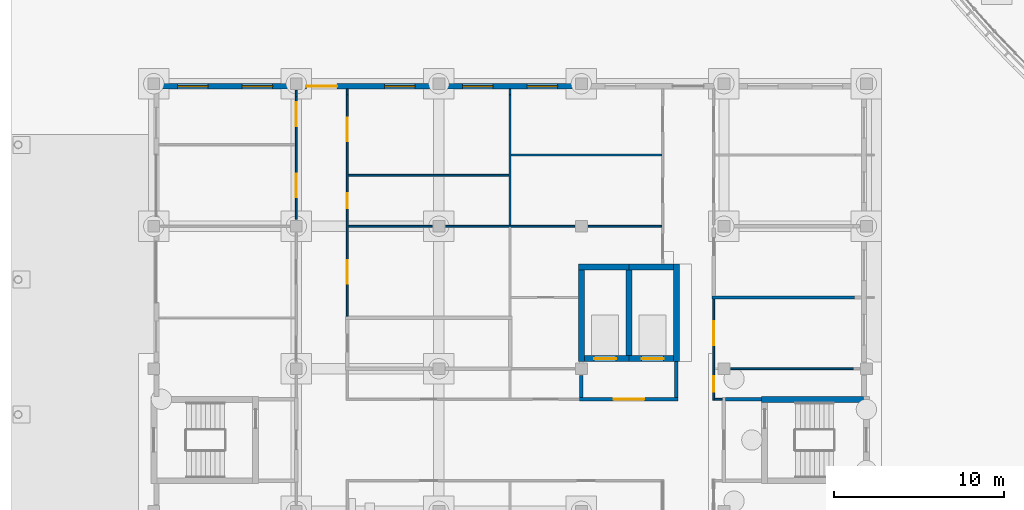
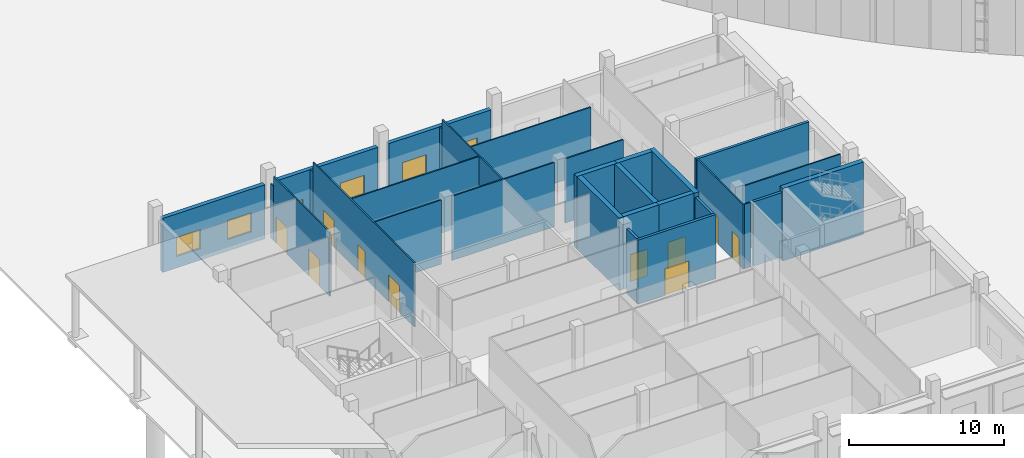
# One storey, part 57 of 146: 30 walls, 11 doors, 5 windows, 16 openings.
"""IFC4 building model written with IfcOpenShell, lengths in metres."""

from ifc_helpers import new_model, si_unit, direction, frame, frame_2d, origin, place, context, subcontext, project, spatial, rectangle, extrude, material, layer, layer_set, type_object, element, fill, save


model = new_model("IFC4")

# Units and contexts
model_context = context("Model", 3, precision=1e-05, world=origin(), true_north=direction((0.0, 1.0)))
body_context = subcontext(model_context, "Body", "Model", "MODEL_VIEW")
ifc_project = project(units=[si_unit("LENGTHUNIT", "METRE"), si_unit("AREAUNIT", "SQUARE_METRE"), si_unit("VOLUMEUNIT", "CUBIC_METRE"), si_unit("PLANEANGLEUNIT", "RADIAN"), si_unit("MASSUNIT", "GRAM", prefix="KILO")], contexts=[model_context])

# Site, building, storey
site_placement = place(None, origin())
site = spatial("IfcSite", under=ifc_project, at=site_placement, CompositionType="ELEMENT")
building_placement = place(site_placement, origin())
building = spatial("IfcBuilding", under=site, at=building_placement, Name="Bougainvillea Quay General Hospital", CompositionType="ELEMENT")
storey_placement = place(building_placement, origin())
storey = spatial("IfcBuildingStorey", under=building, at=storey_placement, Name="L00", CompositionType="ELEMENT", Elevation=0.0)

# Wall, openings, windows
ifc_material_1 = material(Name="Pale stone rainscreen cladding on insulated masonry backing, pale stone", Category="masonry")
ifc_layer_1 = layer(ifc_material_1, 0.300048828125)
ifc_layer_set_1 = layer_set([ifc_layer_1], Name="Pale stone rainscreen cladding on insulated masonry backing, pale stone")
wall_type_1 = type_object("IfcWallType", Name="External wall pale stone rainscreen 300", PredefinedType="STANDARD", material=ifc_layer_set_1)
wall_1_placement = place(storey_placement, frame((33.199951171875, 75.449951171875, 0.0), z_axis=(0.0, 0.0, 1.0), x_axis=(-1.0, 0.0, 0.0)))
wall_1 = element("IfcWall", 1, at=wall_1_placement, inside=storey, type_object=wall_type_1, Name="External wall wall/V2/L00/p0/01c", PredefinedType="STANDARD", context=body_context, shape_type="SweptSolid", body=[
    extrude(rectangle(XDim=7.599853515625, YDim=0.300048828125, at=frame_2d((3.7998046875, 0.0))), origin(), (0.0, 0.0, 1.0), 4.25),
])
opening_1_placement = place(wall_1_placement, frame((1.0, 0.0, 0.89990234375)))
opening_1 = element("IfcOpeningElement", 2, at=opening_1_placement, cuts=wall_1, Name="Opening W1", PredefinedType="OPENING", context=body_context, shape_type="SweptSolid", body=[
    extrude(rectangle(XDim=1.800048828125, YDim=1.5, at=frame_2d((0.89990234375, 0.75))), frame((0.0, 0.159912109375, 0.0), z_axis=(0.0, -1.0, 0.0), x_axis=(1.0, 0.0, 0.0)), (0.0, 0.0, 1.0), 0.320068359375),
])
opening_2_placement = place(wall_1_placement, frame((4.800048828125, 0.0, 0.89990234375)))
opening_2 = element("IfcOpeningElement", 3, at=opening_2_placement, cuts=wall_1, Name="Opening W1", PredefinedType="OPENING", context=body_context, shape_type="SweptSolid", body=[
    extrude(rectangle(XDim=1.800048828125, YDim=1.5, at=frame_2d((0.89990234375, 0.75))), frame((0.0, 0.159912109375, 0.0), z_axis=(0.0, -1.0, 0.0), x_axis=(1.0, 0.0, 0.0)), (0.0, 0.0, 1.0), 0.320068359375),
])
ifc_material_2 = material(Name="Aluminium window frame with low-e double glazed unit", Category="aluminium")
window_type = type_object("IfcWindowType", Name="Window W1 1800x1500", PartitioningType="DOUBLE_PANEL_VERTICAL", PredefinedType="WINDOW", material=ifc_material_2)
window_1_placement = place(opening_1_placement, origin())
window_1 = element("IfcWindow", 4, at=window_1_placement, inside=storey, type_object=window_type, Name="Window W1 1", OverallHeight=1.5, OverallWidth=1.800048828125, PartitioningType="SINGLE_PANEL", PredefinedType="WINDOW", context=body_context, shape_type="SweptSolid", body=[
    extrude(rectangle(XDim=1.800048828125, YDim=1.5, at=frame_2d((0.89990234375, 0.75))), frame((0.0, 0.030029296875, 0.0), z_axis=(0.0, -1.0, 0.0), x_axis=(1.0, 0.0, 0.0)), (0.0, 0.0, 1.0), 0.06005859375),
])
fill(opening_1, window_1)
window_2_placement = place(opening_2_placement, origin())
window_2 = element("IfcWindow", 5, at=window_2_placement, inside=storey, type_object=window_type, Name="Window W1 2", OverallHeight=1.5, OverallWidth=1.800048828125, PartitioningType="SINGLE_PANEL", PredefinedType="WINDOW", context=body_context, shape_type="SweptSolid", body=[
    extrude(rectangle(XDim=1.800048828125, YDim=1.5, at=frame_2d((0.89990234375, 0.75))), frame((0.0, 0.030029296875, 0.0), z_axis=(0.0, -1.0, 0.0), x_axis=(1.0, 0.0, 0.0)), (0.0, 0.0, 1.0), 0.06005859375),
])
fill(opening_2, window_2)

# Wall, openings, door, window
wall_2_placement = place(storey_placement, frame((24.800048828125, 75.449951171875, 0.0), z_axis=(0.0, 0.0, 1.0), x_axis=(-1.0, 0.0, 0.0)))
wall_2 = element("IfcWall", 6, at=wall_2_placement, inside=storey, type_object=wall_type_1, Name="External wall wall/V2/L00/p0/01d", PredefinedType="STANDARD", context=body_context, shape_type="SweptSolid", body=[
    extrude(rectangle(XDim=7.60009765625, YDim=0.300048828125, at=frame_2d((3.800048828125, 0.0))), origin(), (0.0, 0.0, 1.0), 4.25),
])
opening_3_placement = place(wall_2_placement, frame((5.60009765625, 0.0, 0.0)))
opening_3 = element("IfcOpeningElement", 7, at=opening_3_placement, cuts=wall_2, Name="Opening L00.320", PredefinedType="OPENING", context=body_context, shape_type="SweptSolid", body=[
    extrude(rectangle(XDim=1.800048828125, YDim=2.10009765625, at=frame_2d((0.89990234375, 1.050048828125))), frame((0.0, 0.159912109375, 0.0), z_axis=(0.0, -1.0, 0.0), x_axis=(1.0, 0.0, 0.0)), (0.0, 0.0, 1.0), 0.320068359375),
])
opening_4_placement = place(wall_2_placement, frame((1.0, 0.0, 0.89990234375)))
opening_4 = element("IfcOpeningElement", 8, at=opening_4_placement, cuts=wall_2, Name="Opening W1", PredefinedType="OPENING", context=body_context, shape_type="SweptSolid", body=[
    extrude(rectangle(XDim=1.800048828125, YDim=1.5, at=frame_2d((0.89990234375, 0.75))), frame((0.0, 0.159912109375, 0.0), z_axis=(0.0, -1.0, 0.0), x_axis=(1.0, 0.0, 0.0)), (0.0, 0.0, 1.0), 0.320068359375),
])
ifc_material_3 = material(Name="Steel door set, painted, with vision panels", Category="steel")
door_type_1 = type_object("IfcDoorType", Name="Escape door 1800x2100", OperationType="DOUBLE_DOOR_SINGLE_SWING", PredefinedType="DOOR", material=ifc_material_3)
door_1_placement = place(opening_3_placement, frame((1.800048828125, 0.0, 0.0), z_axis=(0.0, 0.0, 1.0), x_axis=(-1.0, 0.0, 0.0)))
door_1 = element("IfcDoor", 9, at=door_1_placement, inside=storey, type_object=door_type_1, Name="Escape door 8", OperationType="SINGLE_SWING_LEFT", OverallHeight=2.10009765625, OverallWidth=1.800048828125, PredefinedType="DOOR", context=body_context, shape_type="SweptSolid", body=[
    extrude(rectangle(XDim=1.800048828125, YDim=2.10009765625, at=frame_2d((0.89990234375, 1.050048828125))), frame((0.0, 0.02490234375, 0.0), z_axis=(0.0, -1.0, 0.0), x_axis=(1.0, 0.0, 0.0)), (0.0, 0.0, 1.0), 0.050048828125),
])
fill(opening_3, door_1)
window_3_placement = place(opening_4_placement, origin())
window_3 = element("IfcWindow", 10, at=window_3_placement, inside=storey, type_object=window_type, Name="Window W1 1", OverallHeight=1.5, OverallWidth=1.800048828125, PartitioningType="SINGLE_PANEL", PredefinedType="WINDOW", context=body_context, shape_type="SweptSolid", body=[
    extrude(rectangle(XDim=1.800048828125, YDim=1.5, at=frame_2d((0.89990234375, 0.75))), frame((0.0, 0.030029296875, 0.0), z_axis=(0.0, -1.0, 0.0), x_axis=(1.0, 0.0, 0.0)), (0.0, 0.0, 1.0), 0.06005859375),
])
fill(opening_4, window_3)

# Wall, openings, windows
wall_3_placement = place(storey_placement, frame((16.39990234375, 75.449951171875, 0.0), z_axis=(0.0, 0.0, 1.0), x_axis=(-1.0, 0.0, 0.0)))
wall_3 = element("IfcWall", 11, at=wall_3_placement, inside=storey, type_object=wall_type_1, Name="External wall wall/V2/L00/p0/01e", PredefinedType="STANDARD", context=body_context, shape_type="SweptSolid", body=[
    extrude(rectangle(XDim=7.599853515625, YDim=0.300048828125, at=frame_2d((3.7998046875, 0.0))), origin(), (0.0, 0.0, 1.0), 4.25),
])
opening_5_placement = place(wall_3_placement, frame((1.0, 0.0, 0.89990234375)))
opening_5 = element("IfcOpeningElement", 12, at=opening_5_placement, cuts=wall_3, Name="Opening W1", PredefinedType="OPENING", context=body_context, shape_type="SweptSolid", body=[
    extrude(rectangle(XDim=1.800048828125, YDim=1.5, at=frame_2d((0.89990234375, 0.75))), frame((0.0, 0.159912109375, 0.0), z_axis=(0.0, -1.0, 0.0), x_axis=(1.0, 0.0, 0.0)), (0.0, 0.0, 1.0), 0.320068359375),
])
opening_6_placement = place(wall_3_placement, frame((4.800048828125, 0.0, 0.89990234375)))
opening_6 = element("IfcOpeningElement", 13, at=opening_6_placement, cuts=wall_3, Name="Opening W1", PredefinedType="OPENING", context=body_context, shape_type="SweptSolid", body=[
    extrude(rectangle(XDim=1.800048828125, YDim=1.5, at=frame_2d((0.89990234375, 0.75))), frame((0.0, 0.159912109375, 0.0), z_axis=(0.0, -1.0, 0.0), x_axis=(1.0, 0.0, 0.0)), (0.0, 0.0, 1.0), 0.320068359375),
])
window_4_placement = place(opening_5_placement, origin())
window_4 = element("IfcWindow", 14, at=window_4_placement, inside=storey, type_object=window_type, Name="Window W1 1", OverallHeight=1.5, OverallWidth=1.800048828125, PartitioningType="SINGLE_PANEL", PredefinedType="WINDOW", context=body_context, shape_type="SweptSolid", body=[
    extrude(rectangle(XDim=1.800048828125, YDim=1.5, at=frame_2d((0.89990234375, 0.75))), frame((0.0, 0.030029296875, 0.0), z_axis=(0.0, -1.0, 0.0), x_axis=(1.0, 0.0, 0.0)), (0.0, 0.0, 1.0), 0.06005859375),
])
fill(opening_5, window_4)
window_5_placement = place(opening_6_placement, origin())
window_5 = element("IfcWindow", 15, at=window_5_placement, inside=storey, type_object=window_type, Name="Window W1 2", OverallHeight=1.5, OverallWidth=1.800048828125, PartitioningType="SINGLE_PANEL", PredefinedType="WINDOW", context=body_context, shape_type="SweptSolid", body=[
    extrude(rectangle(XDim=1.800048828125, YDim=1.5, at=frame_2d((0.89990234375, 0.75))), frame((0.0, 0.030029296875, 0.0), z_axis=(0.0, -1.0, 0.0), x_axis=(1.0, 0.0, 0.0)), (0.0, 0.0, 1.0), 0.06005859375),
])
fill(opening_6, window_5)

# Wall
ifc_material_4 = material(Name="Gypsum board partition on steel studs", Category="steel")
ifc_layer_2 = layer(ifc_material_4, 0.10009765625)
ifc_layer_set_2 = layer_set([ifc_layer_2], Name="Gypsum board partition on steel studs")
wall_type_2 = type_object("IfcWallType", Name="Partition 100 Gypsum board partition", PredefinedType="PARTITIONING", material=ifc_layer_set_2)
wall_4_placement = place(storey_placement, frame((19.800048828125, 75.300048828125, 0.0), z_axis=(0.0, 0.0, 1.0), x_axis=(0.0, -1.0, 0.0)))
element("IfcWall", 16, at=wall_4_placement, inside=storey, type_object=wall_type_2, Name="Partition 100 mm", PredefinedType="PARTITIONING", context=body_context, shape_type="SweptSolid", body=[
    extrude(rectangle(XDim=0.35009765625, YDim=0.10009765625, at=frame_2d((0.175048828125, 0.0))), origin(), (0.0, 0.0, 1.0), 4.280029296875),
])

# Wall, openings, doors
wall_5_placement = place(storey_placement, frame((19.800048828125, 74.949951171875, 0.0), z_axis=(0.0, 0.0, 1.0), x_axis=(0.0, -1.0, 0.0)))
wall_5 = element("IfcWall", 17, at=wall_5_placement, inside=storey, type_object=wall_type_2, Name="Partition 100 mm", PredefinedType="PARTITIONING", context=body_context, shape_type="SweptSolid", body=[
    extrude(rectangle(XDim=13.050048828125, YDim=0.10009765625, at=frame_2d((6.52490234375, 0.0))), origin(), (0.0, 0.0, 1.0), 5.050048828125),
])
opening_7_placement = place(wall_5_placement, frame((9.75, 0.0, 0.0)))
opening_7 = element("IfcOpeningElement", 18, at=opening_7_placement, cuts=wall_5, Name="Opening L00.084", PredefinedType="OPENING", context=body_context, shape_type="SweptSolid", body=[
    extrude(rectangle(XDim=1.39990234375, YDim=2.10009765625, at=frame_2d((0.699951171875, 1.050048828125))), frame((0.0, 0.06005859375, 0.0), z_axis=(0.0, -1.0, 0.0), x_axis=(1.0, 0.0, 0.0)), (0.0, 0.0, 1.0), 0.1201171875),
])
opening_8_placement = place(wall_5_placement, frame((5.800048828125, 0.0, 0.0)))
opening_8 = element("IfcOpeningElement", 19, at=opening_8_placement, cuts=wall_5, Name="Opening L00.085", PredefinedType="OPENING", context=body_context, shape_type="SweptSolid", body=[
    extrude(rectangle(XDim=0.89990234375, YDim=2.10009765625, at=frame_2d((0.449951171875, 1.050048828125))), frame((0.0, 0.06005859375, 0.0), z_axis=(0.0, -1.0, 0.0), x_axis=(1.0, 0.0, 0.0)), (0.0, 0.0, 1.0), 0.1201171875),
])
opening_9_placement = place(wall_5_placement, frame((1.35009765625, 0.0, 0.0)))
opening_9 = element("IfcOpeningElement", 20, at=opening_9_placement, cuts=wall_5, Name="Opening L00.086", PredefinedType="OPENING", context=body_context, shape_type="SweptSolid", body=[
    extrude(rectangle(XDim=1.39990234375, YDim=2.10009765625, at=frame_2d((0.699951171875, 1.050048828125))), frame((0.0, 0.06005859375, 0.0), z_axis=(0.0, -1.0, 0.0), x_axis=(1.0, 0.0, 0.0)), (0.0, 0.0, 1.0), 0.1201171875),
])
ifc_material_5 = material(Name="Solid-core timber door leaves in steel frame", Category="steel")
door_type_2 = type_object("IfcDoorType", Name="Bed door pair 1400x2100", OperationType="DOUBLE_DOOR_SINGLE_SWING", PredefinedType="DOOR", material=ifc_material_5)
door_2_placement = place(opening_7_placement, origin())
door_2 = element("IfcDoor", 21, at=door_2_placement, inside=storey, type_object=door_type_2, Name="DT09 L00.084", OperationType="DOUBLE_DOOR_SINGLE_SWING", OverallHeight=2.10009765625, OverallWidth=1.39990234375, PredefinedType="DOOR", context=body_context, shape_type="SweptSolid", body=[
    extrude(rectangle(XDim=1.39990234375, YDim=2.10009765625, at=frame_2d((0.699951171875, 1.050048828125))), frame((0.0, 0.02490234375, 0.0), z_axis=(0.0, -1.0, 0.0), x_axis=(1.0, 0.0, 0.0)), (0.0, 0.0, 1.0), 0.050048828125),
])
fill(opening_7, door_2)
door_3_placement = place(opening_9_placement, origin())
door_3 = element("IfcDoor", 22, at=door_3_placement, inside=storey, type_object=door_type_2, Name="DT09 L00.086", OperationType="DOUBLE_DOOR_SINGLE_SWING", OverallHeight=2.10009765625, OverallWidth=1.39990234375, PredefinedType="DOOR", context=body_context, shape_type="SweptSolid", body=[
    extrude(rectangle(XDim=1.39990234375, YDim=2.10009765625, at=frame_2d((0.699951171875, 1.050048828125))), frame((0.0, 0.02490234375, 0.0), z_axis=(0.0, -1.0, 0.0), x_axis=(1.0, 0.0, 0.0)), (0.0, 0.0, 1.0), 0.050048828125),
])
fill(opening_9, door_3)
ifc_material_6 = material(Name="Solid-core timber door leaf in steel frame", Category="steel")
door_type_3 = type_object("IfcDoorType", Name="Single leaf door 900x2100", OperationType="NOTDEFINED", PredefinedType="DOOR", material=ifc_material_6)
door_4_placement = place(opening_8_placement, origin())
door_4 = element("IfcDoor", 23, at=door_4_placement, inside=storey, type_object=door_type_3, Name="DT07 L00.085", OperationType="SINGLE_SWING_LEFT", OverallHeight=2.10009765625, OverallWidth=0.89990234375, PredefinedType="DOOR", context=body_context, shape_type="SweptSolid", body=[
    extrude(rectangle(XDim=0.89990234375, YDim=2.10009765625, at=frame_2d((0.449951171875, 1.050048828125))), frame((0.0, 0.02490234375, 0.0), z_axis=(0.0, -1.0, 0.0), x_axis=(1.0, 0.0, 0.0)), (0.0, 0.0, 1.0), 0.050048828125),
])
fill(opening_8, door_4)

# Walls
wall_6_placement = place(storey_placement, frame((19.85009765625, 67.199951171875, 0.0), z_axis=(0.0, 0.0, 1.0), x_axis=(1.0, 0.0, 0.0)))
element("IfcWall", 24, at=wall_6_placement, inside=storey, type_object=wall_type_2, Name="Partition 100 mm", PredefinedType="PARTITIONING", context=body_context, shape_type="SweptSolid", body=[
    extrude(rectangle(XDim=4.949951171875, YDim=0.10009765625, at=frame_2d((2.47509765625, 0.0))), origin(), (0.0, 0.0, 1.0), 5.050048828125),
])
wall_7_placement = place(storey_placement, frame((25.60009765625, 67.199951171875, 0.0), z_axis=(0.0, 0.0, 1.0), x_axis=(1.0, 0.0, 0.0)))
element("IfcWall", 25, at=wall_7_placement, inside=storey, type_object=wall_type_2, Name="Partition 100 mm", PredefinedType="PARTITIONING", context=body_context, shape_type="SweptSolid", body=[
    extrude(rectangle(XDim=7.599853515625, YDim=0.10009765625, at=frame_2d((3.7998046875, 0.0))), origin(), (0.0, 0.0, 1.0), 5.050048828125),
])
wall_8_placement = place(storey_placement, frame((34.0, 67.199951171875, 0.0), z_axis=(0.0, 0.0, 1.0), x_axis=(1.0, 0.0, 0.0)))
element("IfcWall", 26, at=wall_8_placement, inside=storey, type_object=wall_type_2, Name="Partition 100 mm", PredefinedType="PARTITIONING", context=body_context, shape_type="SweptSolid", body=[
    extrude(rectangle(XDim=4.35009765625, YDim=0.10009765625, at=frame_2d((2.175048828125, 0.0))), origin(), (0.0, 0.0, 1.0), 5.050048828125),
])
wall_9_placement = place(storey_placement, frame((16.800048828125, 75.199951171875, 0.0), z_axis=(0.0, 0.0, 1.0), x_axis=(0.0, -1.0, 0.0)))
element("IfcWall", 27, at=wall_9_placement, inside=storey, type_object=wall_type_2, Name="Partition 100 mm", PredefinedType="PARTITIONING", context=body_context, shape_type="SweptSolid", body=[
    extrude(rectangle(XDim=0.349853515625, YDim=0.10009765625, at=frame_2d((0.1748046875, 0.0))), origin(), (0.0, 0.0, 1.0), 4.280029296875),
])

# Wall, openings, doors
wall_10_placement = place(storey_placement, frame((16.800048828125, 74.85009765625, 0.0), z_axis=(0.0, 0.0, 1.0), x_axis=(0.0, -1.0, 0.0)))
wall_10 = element("IfcWall", 28, at=wall_10_placement, inside=storey, type_object=wall_type_2, Name="Partition 100 mm", PredefinedType="PARTITIONING", context=body_context, shape_type="SweptSolid", body=[
    extrude(rectangle(XDim=7.25, YDim=0.10009765625, at=frame_2d((3.625, 0.0))), origin(), (0.0, 0.0, 1.0), 5.050048828125),
])
opening_10_placement = place(wall_10_placement, frame((4.550048828125, 0.0, 0.0)))
opening_10 = element("IfcOpeningElement", 29, at=opening_10_placement, cuts=wall_10, Name="Opening L00.080", PredefinedType="OPENING", context=body_context, shape_type="SweptSolid", body=[
    extrude(rectangle(XDim=1.39990234375, YDim=2.10009765625, at=frame_2d((0.699951171875, 1.050048828125))), frame((0.0, 0.06005859375, 0.0), z_axis=(0.0, -1.0, 0.0), x_axis=(1.0, 0.0, 0.0)), (0.0, 0.0, 1.0), 0.1201171875),
])
opening_11_placement = place(wall_10_placement, frame((0.35009765625, 0.0, 0.0)))
opening_11 = element("IfcOpeningElement", 30, at=opening_11_placement, cuts=wall_10, Name="Opening L00.081", PredefinedType="OPENING", context=body_context, shape_type="SweptSolid", body=[
    extrude(rectangle(XDim=1.39990234375, YDim=2.10009765625, at=frame_2d((0.699951171875, 1.050048828125))), frame((0.0, 0.06005859375, 0.0), z_axis=(0.0, -1.0, 0.0), x_axis=(1.0, 0.0, 0.0)), (0.0, 0.0, 1.0), 0.1201171875),
])
door_5_placement = place(opening_10_placement, frame((1.39990234375, 0.0, 0.0), z_axis=(0.0, 0.0, 1.0), x_axis=(-1.0, 0.0, 0.0)))
door_5 = element("IfcDoor", 31, at=door_5_placement, inside=storey, type_object=door_type_2, Name="DT09 L00.080", OperationType="DOUBLE_DOOR_SINGLE_SWING", OverallHeight=2.10009765625, OverallWidth=1.39990234375, PredefinedType="DOOR", context=body_context, shape_type="SweptSolid", body=[
    extrude(rectangle(XDim=1.39990234375, YDim=2.10009765625, at=frame_2d((0.699951171875, 1.050048828125))), frame((0.0, 0.02490234375, 0.0), z_axis=(0.0, -1.0, 0.0), x_axis=(1.0, 0.0, 0.0)), (0.0, 0.0, 1.0), 0.050048828125),
])
fill(opening_10, door_5)
door_6_placement = place(opening_11_placement, frame((1.39990234375, 0.0, 0.0), z_axis=(0.0, 0.0, 1.0), x_axis=(-1.0, 0.0, 0.0)))
door_6 = element("IfcDoor", 32, at=door_6_placement, inside=storey, type_object=door_type_2, Name="DT09 L00.081", OperationType="DOUBLE_DOOR_SINGLE_SWING", OverallHeight=2.10009765625, OverallWidth=1.39990234375, PredefinedType="DOOR", context=body_context, shape_type="SweptSolid", body=[
    extrude(rectangle(XDim=1.39990234375, YDim=2.10009765625, at=frame_2d((0.699951171875, 1.050048828125))), frame((0.0, 0.02490234375, 0.0), z_axis=(0.0, -1.0, 0.0), x_axis=(1.0, 0.0, 0.0)), (0.0, 0.0, 1.0), 0.050048828125),
])
fill(opening_11, door_6)

# Walls
wall_11_placement = place(storey_placement, frame((29.39990234375, 75.300048828125, 0.0), z_axis=(0.0, 0.0, 1.0), x_axis=(0.0, -1.0, 0.0)))
element("IfcWall", 33, at=wall_11_placement, inside=storey, type_object=wall_type_2, Name="Partition 100 mm", PredefinedType="PARTITIONING", context=body_context, shape_type="SweptSolid", body=[
    extrude(rectangle(XDim=0.35009765625, YDim=0.10009765625, at=frame_2d((0.175048828125, 0.0))), origin(), (0.0, 0.0, 1.0), 4.280029296875),
])
wall_12_placement = place(storey_placement, frame((29.39990234375, 74.949951171875, 0.0), z_axis=(0.0, 0.0, 1.0), x_axis=(0.0, -1.0, 0.0)))
element("IfcWall", 34, at=wall_12_placement, inside=storey, type_object=wall_type_2, Name="Partition 100 mm", PredefinedType="PARTITIONING", context=body_context, shape_type="SweptSolid", body=[
    extrude(rectangle(XDim=7.699951171875, YDim=0.10009765625, at=frame_2d((3.85009765625, 0.0))), origin(), (0.0, 0.0, 1.0), 5.050048828125),
])
wall_13_placement = place(storey_placement, frame((19.85009765625, 70.199951171875, 0.0), z_axis=(0.0, 0.0, 1.0), x_axis=(1.0, 0.0, 0.0)))
element("IfcWall", 35, at=wall_13_placement, inside=storey, type_object=wall_type_2, Name="Partition 100 mm", PredefinedType="PARTITIONING", context=body_context, shape_type="SweptSolid", body=[
    extrude(rectangle(XDim=9.5, YDim=0.10009765625, at=frame_2d((4.75, 0.0))), origin(), (0.0, 0.0, 1.0), 5.050048828125),
])
wall_14_placement = place(storey_placement, frame((29.449951171875, 71.39990234375, 0.0), z_axis=(0.0, 0.0, 1.0), x_axis=(1.0, 0.0, 0.0)))
element("IfcWall", 36, at=wall_14_placement, inside=storey, type_object=wall_type_2, Name="Partition 100 mm", PredefinedType="PARTITIONING", context=body_context, shape_type="SweptSolid", body=[
    extrude(rectangle(XDim=8.900146484375, YDim=0.10009765625, at=frame_2d((4.4501953125, 0.0))), origin(), (0.0, 0.0, 1.0), 5.050048828125),
])

# Wall, openings, doors
wall_15_placement = place(storey_placement, frame((41.39990234375, 56.949951171875, 0.0), z_axis=(0.0, 0.0, 1.0), x_axis=(0.0, 1.0, 0.0)))
wall_15 = element("IfcWall", 37, at=wall_15_placement, inside=storey, type_object=wall_type_2, Name="Partition 100 mm", PredefinedType="PARTITIONING", context=body_context, shape_type="SweptSolid", body=[
    extrude(rectangle(XDim=5.949951171875, YDim=0.10009765625, at=frame_2d((2.97509765625, 0.0))), origin(), (0.0, 0.0, 1.0), 5.050048828125),
])
opening_12_placement = place(wall_15_placement, frame((0.5, 0.0, 0.0)))
opening_12 = element("IfcOpeningElement", 38, at=opening_12_placement, cuts=wall_15, Name="Opening L00.091", PredefinedType="OPENING", context=body_context, shape_type="SweptSolid", body=[
    extrude(rectangle(XDim=0.89990234375, YDim=2.10009765625, at=frame_2d((0.449951171875, 1.050048828125))), frame((0.0, 0.06005859375, 0.0), z_axis=(0.0, -1.0, 0.0), x_axis=(1.0, 0.0, 0.0)), (0.0, 0.0, 1.0), 0.1201171875),
])
opening_13_placement = place(wall_15_placement, frame((3.25, 0.0, 0.0)))
opening_13 = element("IfcOpeningElement", 39, at=opening_13_placement, cuts=wall_15, Name="Opening L00.092", PredefinedType="OPENING", context=body_context, shape_type="SweptSolid", body=[
    extrude(rectangle(XDim=1.39990234375, YDim=2.10009765625, at=frame_2d((0.699951171875, 1.050048828125))), frame((0.0, 0.06005859375, 0.0), z_axis=(0.0, -1.0, 0.0), x_axis=(1.0, 0.0, 0.0)), (0.0, 0.0, 1.0), 0.1201171875),
])
door_7_placement = place(opening_13_placement, frame((1.39990234375, 0.0, 0.0), z_axis=(0.0, 0.0, 1.0), x_axis=(-1.0, 0.0, 0.0)))
door_7 = element("IfcDoor", 40, at=door_7_placement, inside=storey, type_object=door_type_2, Name="DT09 L00.092", OperationType="DOUBLE_DOOR_SINGLE_SWING", OverallHeight=2.10009765625, OverallWidth=1.39990234375, PredefinedType="DOOR", context=body_context, shape_type="SweptSolid", body=[
    extrude(rectangle(XDim=1.39990234375, YDim=2.10009765625, at=frame_2d((0.699951171875, 1.050048828125))), frame((0.0, 0.02490234375, 0.0), z_axis=(0.0, -1.0, 0.0), x_axis=(1.0, 0.0, 0.0)), (0.0, 0.0, 1.0), 0.050048828125),
])
fill(opening_13, door_7)
door_8_placement = place(opening_12_placement, frame((0.89990234375, 0.0, 0.0), z_axis=(0.0, 0.0, 1.0), x_axis=(-1.0, 0.0, 0.0)))
door_8 = element("IfcDoor", 41, at=door_8_placement, inside=storey, type_object=door_type_3, Name="DT07 L00.091", OperationType="SINGLE_SWING_RIGHT", OverallHeight=2.10009765625, OverallWidth=0.89990234375, PredefinedType="DOOR", context=body_context, shape_type="SweptSolid", body=[
    extrude(rectangle(XDim=0.89990234375, YDim=2.10009765625, at=frame_2d((0.449951171875, 1.050048828125))), frame((0.0, 0.02490234375, 0.0), z_axis=(0.0, -1.0, 0.0), x_axis=(1.0, 0.0, 0.0)), (0.0, 0.0, 1.0), 0.050048828125),
])
fill(opening_12, door_8)

# Walls
wall_16_placement = place(storey_placement, frame((42.39990234375, 58.800048828125, 0.0), z_axis=(0.0, 0.0, 1.0), x_axis=(1.0, 0.0, 0.0)))
element("IfcWall", 42, at=wall_16_placement, inside=storey, type_object=wall_type_2, Name="Partition 100 mm", PredefinedType="PARTITIONING", context=body_context, shape_type="SweptSolid", body=[
    extrude(rectangle(XDim=7.25, YDim=0.10009765625, at=frame_2d((3.625, 0.0))), origin(), (0.0, 0.0, 1.0), 5.050048828125),
])
wall_17_placement = place(storey_placement, frame((41.449951171875, 57.0, 0.0), z_axis=(0.0, 0.0, 1.0), x_axis=(1.0, 0.0, 0.0)))
element("IfcWall", 43, at=wall_17_placement, inside=storey, type_object=wall_type_2, Name="Partition 100 mm", PredefinedType="PARTITIONING", context=body_context, shape_type="SweptSolid", body=[
    extrude(rectangle(XDim=0.449951171875, YDim=0.10009765625, at=frame_2d((0.22509765625, 0.0))), origin(), (0.0, 0.0, 1.0), 5.050048828125),
])

# Wall, opening, door
ifc_material_7 = material(Name="Fire-rated autoclaved aerated block wall, plastered")
ifc_layer_3 = layer(ifc_material_7, 0.199951171875)
ifc_layer_set_3 = layer_set([ifc_layer_3], Name="Fire-rated autoclaved aerated block wall, plastered")
wall_type_3 = type_object("IfcWallType", Name="Partition 200 Fire-rated autoclaved aerated block wall EI 120", PredefinedType="SOLIDWALL", material=ifc_layer_set_3)
wall_18_placement = place(storey_placement, frame((33.5, 57.0, 0.0), z_axis=(0.0, 0.0, 1.0), x_axis=(1.0, 0.0, 0.0)))
wall_18 = element("IfcWall", 44, at=wall_18_placement, inside=storey, type_object=wall_type_3, Name="Partition 200 mm EI 120", PredefinedType="SOLIDWALL", context=body_context, shape_type="SweptSolid", body=[
    extrude(rectangle(XDim=5.800048828125, YDim=0.199951171875, at=frame_2d((2.89990234375, 0.0))), origin(), (0.0, 0.0, 1.0), 5.050048828125),
])
opening_14_placement = place(wall_18_placement, frame((2.0, 0.0, 0.0)))
opening_14 = element("IfcOpeningElement", 45, at=opening_14_placement, cuts=wall_18, Name="Opening L00.056", PredefinedType="OPENING", context=body_context, shape_type="SweptSolid", body=[
    extrude(rectangle(XDim=1.800048828125, YDim=2.10009765625, at=frame_2d((0.89990234375, 1.050048828125))), frame((0.0, 0.10986328125, 0.0), z_axis=(0.0, -1.0, 0.0), x_axis=(1.0, 0.0, 0.0)), (0.0, 0.0, 1.0), 0.219970703125),
])
ifc_material_8 = material(Name="Steel fire door leaves in steel frame", Category="steel")
door_type_4 = type_object("IfcDoorType", Name="Steel double leaf door 1800x2100 FD60", OperationType="DOUBLE_DOOR_SINGLE_SWING", PredefinedType="DOOR", material=ifc_material_8)
door_9_placement = place(opening_14_placement, origin())
door_9 = element("IfcDoor", 46, at=door_9_placement, inside=storey, type_object=door_type_4, Name="DT05 L00.056", OperationType="DOUBLE_DOOR_SINGLE_SWING", OverallHeight=2.10009765625, OverallWidth=1.800048828125, PredefinedType="DOOR", context=body_context, shape_type="SweptSolid", body=[
    extrude(rectangle(XDim=1.800048828125, YDim=2.10009765625, at=frame_2d((0.89990234375, 1.050048828125))), frame((0.0, 0.02490234375, 0.0), z_axis=(0.0, -1.0, 0.0), x_axis=(1.0, 0.0, 0.0)), (0.0, 0.0, 1.0), 0.050048828125),
])
fill(opening_14, door_9)

# Walls
wall_19_placement = place(storey_placement, frame((33.60009765625, 57.10009765625, 0.0), z_axis=(0.0, 0.0, 1.0), x_axis=(0.0, 1.0, 0.0)))
element("IfcWall", 47, at=wall_19_placement, inside=storey, type_object=wall_type_3, Name="Partition 200 mm EI 120", PredefinedType="SOLIDWALL", context=body_context, shape_type="SweptSolid", body=[
    extrude(rectangle(XDim=1.2998046875, YDim=0.199951171875, at=frame_2d((0.64990234375, 0.0))), origin(), (0.0, 0.0, 1.0), 5.050048828125),
])
for number, where, z_axis, x_axis, name in (
    (48, (39.199951171875, 57.10009765625, 0.0), (0.0, 0.0, 1.0), (0.0, 1.0, 0.0), "Partition 200 mm EI 120"),
    (49, (42.10009765625, 57.0, 0.0), (0.0, 0.0, 1.0), (1.0, 0.0, 0.0), "Partition 200 mm EI 120"),
):
    element("IfcWall", number, at=place(storey_placement, frame(where, z_axis=z_axis, x_axis=x_axis)), inside=storey, type_object=wall_type_3, Name=name, PredefinedType="SOLIDWALL", context=body_context, shape_type="SweptSolid", body=[
        extrude(rectangle(XDim=2.125, YDim=0.199951171875, at=frame_2d((1.0625, 0.0))), origin(), (0.0, 0.0, 1.0), 5.050048828125),
    ])
ifc_layer_4 = layer(ifc_material_7, 0.199951171875)
ifc_layer_set_4 = layer_set([ifc_layer_4], Name="Fire-rated autoclaved aerated block wall, plastered")
wall_type_4 = type_object("IfcWallType", Name="Partition 200 Fire-rated autoclaved aerated block wall EI 60", PredefinedType="SOLIDWALL", material=ifc_layer_set_4)
wall_20_placement = place(storey_placement, frame((41.300048828125, 63.0, 0.0), z_axis=(0.0, 0.0, 1.0), x_axis=(1.0, 0.0, 0.0)))
element("IfcWall", 50, at=wall_20_placement, inside=storey, type_object=wall_type_4, Name="Partition 200 mm EI 60", PredefinedType="SOLIDWALL", context=body_context, shape_type="SweptSolid", body=[
    extrude(rectangle(XDim=8.39990234375, YDim=0.199951171875, at=frame_2d((4.199951171875, 0.0))), origin(), (0.0, 0.0, 1.0), 5.050048828125),
])
ifc_material_9 = material(Name="Concrete C40", Category="concrete")
ifc_layer_5 = layer(ifc_material_9, 0.35009765625)
ifc_layer_set_5 = layer_set([ifc_layer_5], Name="Concrete C40")
wall_type_5 = type_object("IfcWallType", Name="RC SHEAR WALL 350 C40", PredefinedType="SHEAR", material=ifc_layer_set_5)
wall_21_placement = place(storey_placement, frame((33.425048828125, 64.800048828125, -0.300048828125), z_axis=(0.0, 0.0, 1.0), x_axis=(1.0, 0.0, 0.0)))
element("IfcWall", 51, at=wall_21_placement, inside=storey, type_object=wall_type_5, Name="Shear wall L00", PredefinedType="SHEAR", context=body_context, shape_type="SweptSolid", body=[
    extrude(rectangle(XDim=2.974853515625, YDim=0.35009765625, at=frame_2d((1.4873046875, 0.0))), origin(), (0.0, 0.0, 1.0), 5.699951171875),
])
wall_22_placement = place(storey_placement, frame((33.60009765625, 59.22509765625, -0.300048828125), z_axis=(0.0, 0.0, 1.0), x_axis=(0.0, 1.0, 0.0)))
element("IfcWall", 52, at=wall_22_placement, inside=storey, type_object=wall_type_5, Name="Shear wall L00", PredefinedType="SHEAR", context=body_context, shape_type="SweptSolid", body=[
    extrude(rectangle(XDim=5.39990234375, YDim=0.35009765625, at=frame_2d((2.699951171875, 0.0))), origin(), (0.0, 0.0, 1.0), 5.699951171875),
])

# Wall, opening, door
wall_23_placement = place(storey_placement, frame((33.77490234375, 59.39990234375, -0.300048828125), z_axis=(0.0, 0.0, 1.0), x_axis=(1.0, 0.0, 0.0)))
wall_23 = element("IfcWall", 53, at=wall_23_placement, inside=storey, type_object=wall_type_5, Name="Shear wall L00", PredefinedType="SHEAR", context=body_context, shape_type="SweptSolid", body=[
    extrude(rectangle(XDim=2.625, YDim=0.35009765625, at=frame_2d((1.3125, 0.0))), origin(), (0.0, 0.0, 1.0), 5.699951171875),
])
opening_15_placement = place(wall_23_placement, frame((0.574951171875, 0.0, 0.300048828125)))
opening_15 = element("IfcOpeningElement", 54, at=opening_15_placement, cuts=wall_23, Name="Opening LD-U1.1-L00", PredefinedType="OPENING", context=body_context, shape_type="SweptSolid", body=[
    extrude(rectangle(XDim=1.300048828125, YDim=2.10009765625, at=frame_2d((0.64990234375, 1.050048828125))), frame((0.0, 0.18505859375, 0.0), z_axis=(0.0, -1.0, 0.0), x_axis=(1.0, 0.0, 0.0)), (0.0, 0.0, 1.0), 0.3701171875),
])
ifc_material_10 = material(Name="Stainless steel centre-opening landing door", Category="steel")
door_type_5 = type_object("IfcDoorType", Name="Lift landing door 1300x2100 E 120", OperationType="DOUBLE_DOOR_SLIDING", PredefinedType="DOOR", material=ifc_material_10)
door_10_placement = place(opening_15_placement, origin())
door_10 = element("IfcDoor", 55, at=door_10_placement, inside=storey, type_object=door_type_5, Name="Lift landing door LB-U1-1 L00", OperationType="DOUBLE_DOOR_SLIDING", OverallHeight=2.10009765625, OverallWidth=1.300048828125, PredefinedType="DOOR", context=body_context, shape_type="SweptSolid", body=[
    extrude(rectangle(XDim=1.300048828125, YDim=2.10009765625, at=frame_2d((0.64990234375, 1.050048828125))), frame((0.0, 0.02490234375, 0.0), z_axis=(0.0, -1.0, 0.0), x_axis=(1.0, 0.0, 0.0)), (0.0, 0.0, 1.0), 0.050048828125),
])
fill(opening_15, door_10)

wall_24_placement = place(storey_placement, frame((36.39990234375, 59.39990234375, -0.300048828125), z_axis=(0.0, 0.0, 1.0), x_axis=(1.0, 0.0, 0.0)))
wall_24 = element("IfcWall", 56, at=wall_24_placement, inside=storey, type_object=wall_type_5, Name="Shear wall L00", PredefinedType="SHEAR", context=body_context, shape_type="SweptSolid", body=[
    extrude(rectangle(XDim=2.625, YDim=0.35009765625, at=frame_2d((1.3125, 0.0))), origin(), (0.0, 0.0, 1.0), 5.699951171875),
])
opening_16_placement = place(wall_24_placement, frame((0.75, 0.0, 0.300048828125)))
opening_16 = element("IfcOpeningElement", 57, at=opening_16_placement, cuts=wall_24, Name="Opening LD-U1.2-L00", PredefinedType="OPENING", context=body_context, shape_type="SweptSolid", body=[
    extrude(rectangle(XDim=1.300048828125, YDim=2.10009765625, at=frame_2d((0.64990234375, 1.050048828125))), frame((0.0, 0.18505859375, 0.0), z_axis=(0.0, -1.0, 0.0), x_axis=(1.0, 0.0, 0.0)), (0.0, 0.0, 1.0), 0.3701171875),
])
door_11_placement = place(opening_16_placement, origin())
door_11 = element("IfcDoor", 58, at=door_11_placement, inside=storey, type_object=door_type_5, Name="Lift landing door LB-U1-2 L00", OperationType="DOUBLE_DOOR_SLIDING", OverallHeight=2.10009765625, OverallWidth=1.300048828125, PredefinedType="DOOR", context=body_context, shape_type="SweptSolid", body=[
    extrude(rectangle(XDim=1.300048828125, YDim=2.10009765625, at=frame_2d((0.64990234375, 1.050048828125))), frame((0.0, 0.02490234375, 0.0), z_axis=(0.0, -1.0, 0.0), x_axis=(1.0, 0.0, 0.0)), (0.0, 0.0, 1.0), 0.050048828125),
])
fill(opening_16, door_11)

# Walls
wall_25_placement = place(storey_placement, frame((36.39990234375, 59.574951171875, -0.300048828125), z_axis=(0.0, 0.0, 1.0), x_axis=(0.0, 1.0, 0.0)))
element("IfcWall", 59, at=wall_25_placement, inside=storey, type_object=wall_type_5, Name="Shear wall L00", PredefinedType="SHEAR", context=body_context, shape_type="SweptSolid", body=[
    extrude(rectangle(XDim=5.050048828125, YDim=0.35009765625, at=frame_2d((2.52490234375, 0.0))), origin(), (0.0, 0.0, 1.0), 5.699951171875),
])
wall_26_placement = place(storey_placement, frame((36.39990234375, 64.800048828125, -0.300048828125), z_axis=(0.0, 0.0, 1.0), x_axis=(1.0, 0.0, 0.0)))
element("IfcWall", 60, at=wall_26_placement, inside=storey, type_object=wall_type_5, Name="Shear wall L00", PredefinedType="SHEAR", context=body_context, shape_type="SweptSolid", body=[
    extrude(rectangle(XDim=2.625, YDim=0.35009765625, at=frame_2d((1.3125, 0.0))), origin(), (0.0, 0.0, 1.0), 5.699951171875),
])
wall_27_placement = place(storey_placement, frame((39.199951171875, 59.22509765625, -0.300048828125), z_axis=(0.0, 0.0, 1.0), x_axis=(0.0, 1.0, 0.0)))
element("IfcWall", 61, at=wall_27_placement, inside=storey, type_object=wall_type_5, Name="Shear wall L00", PredefinedType="SHEAR", context=body_context, shape_type="SweptSolid", body=[
    extrude(rectangle(XDim=5.75, YDim=0.35009765625, at=frame_2d((2.875, 0.0))), origin(), (0.0, 0.0, 1.0), 5.699951171875),
])
wall_28_placement = place(storey_placement, frame((44.22509765625, 57.0, -0.300048828125), z_axis=(0.0, 0.0, 1.0), x_axis=(1.0, 0.0, 0.0)))
element("IfcWall", 62, at=wall_28_placement, inside=storey, type_object=wall_type_5, Name="Shear wall L00", PredefinedType="SHEAR", context=body_context, shape_type="SweptSolid", body=[
    extrude(rectangle(XDim=6.0, YDim=0.35009765625, at=frame_2d((3.0, 0.0))), origin(), (0.0, 0.0, 1.0), 5.699951171875),
])

save(model, "model.ifc")
